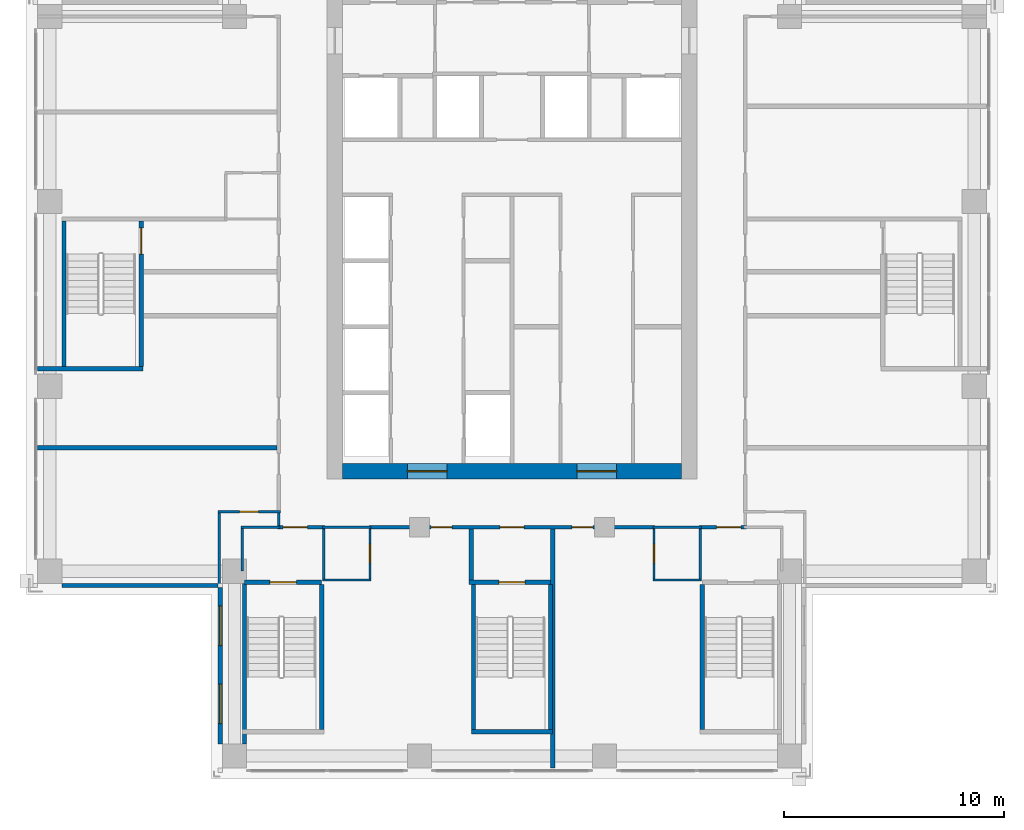
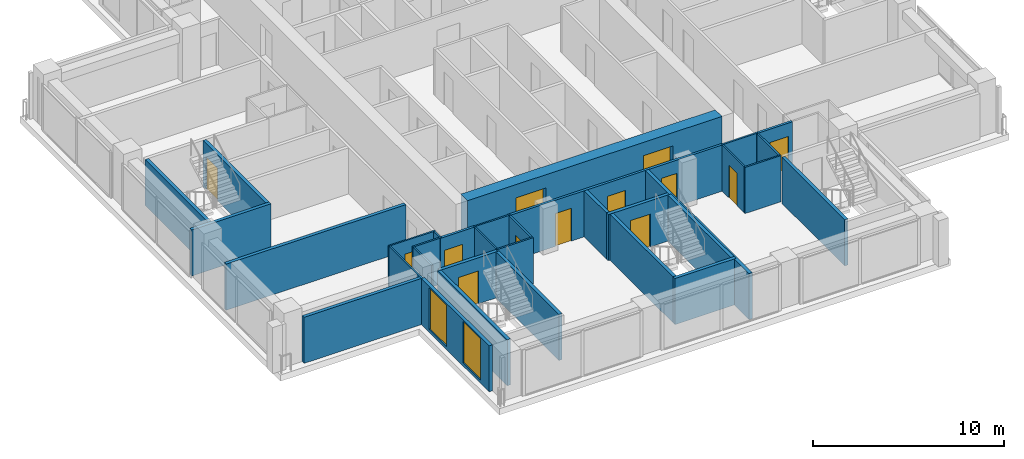
# One storey, part 9 of 16: 33 walls, 13 doors, 2 windows, 15 openings.
"""IFC4 building model written with IfcOpenShell, lengths in metres."""

from ifc_helpers import new_model, si_unit, direction, frame, frame_2d, origin, place, context, subcontext, project, spatial, rectangle, extrude, material, layer, layer_set, type_object, element, fill, save


model = new_model("IFC4")

# Units and contexts
model_context = context("Model", 3, precision=1e-05, world=origin(), true_north=direction((0.0, 1.0)))
body_context = subcontext(model_context, "Body", "Model", "MODEL_VIEW")
ifc_project = project(units=[si_unit("LENGTHUNIT", "METRE"), si_unit("AREAUNIT", "SQUARE_METRE"), si_unit("VOLUMEUNIT", "CUBIC_METRE"), si_unit("PLANEANGLEUNIT", "RADIAN"), si_unit("MASSUNIT", "GRAM", prefix="KILO")], contexts=[model_context])

# Site, building, storey
site_placement = place(None, origin())
site = spatial("IfcSite", under=ifc_project, at=site_placement, CompositionType="ELEMENT")
building_placement = place(site_placement, origin())
building = spatial("IfcBuilding", under=site, at=building_placement, Name="Vermilion Ogive Tower", CompositionType="ELEMENT")
storey_placement = place(building_placement, frame((0.0, 0.0, 167.60009765625)))
storey = spatial("IfcBuildingStorey", under=building, at=storey_placement, Name="L43", CompositionType="ELEMENT", Elevation=167.60009765625)

# Wall, openings, doors
ifc_material_1 = material(Name="Concrete B60", Category="concrete")
ifc_layer_1 = layer(ifc_material_1, 0.699951171875)
ifc_layer_set_1 = layer_set([ifc_layer_1], Name="Core wall 700 B60")
wall_type_1 = type_object("IfcWallType", Name="Core wall 700 B60", PredefinedType="SHEAR", material=ifc_layer_set_1)
wall_1_placement = place(storey_placement, frame((-7.699951171875, -8.050048828125, -0.400146484375), z_axis=(0.0, 0.0, 1.0), x_axis=(1.0, 0.0, 0.0)))
wall_1 = element("IfcWall", 1, at=wall_1_placement, inside=storey, type_object=wall_type_1, Name="L43-CORE-S", PredefinedType="SHEAR", context=body_context, shape_type="SweptSolid", body=[
    extrude(rectangle(XDim=15.39990234375, YDim=0.699951171875, at=frame_2d((7.699951171875, 0.0))), origin(), (0.0, 0.0, 1.0), 3.35009765625),
])
opening_1_placement = place(wall_1_placement, frame((2.949951171875, 0.0, 0.39990234375)))
opening_1 = element("IfcOpeningElement", 2, at=opening_1_placement, cuts=wall_1, Name="Opening DAH033", PredefinedType="OPENING", context=body_context, shape_type="SweptSolid", body=[
    extrude(rectangle(XDim=1.800048828125, YDim=2.10009765625, at=frame_2d((0.89990234375, 1.050048828125))), frame((0.0, 0.35986328125, 0.0), z_axis=(0.0, -1.0, 0.0), x_axis=(1.0, 0.0, 0.0)), (0.0, 0.0, 1.0), 0.719970703125),
])
opening_2_placement = place(wall_1_placement, frame((10.64990234375, 0.0, 0.39990234375)))
opening_2 = element("IfcOpeningElement", 3, at=opening_2_placement, cuts=wall_1, Name="Opening DAH034", PredefinedType="OPENING", context=body_context, shape_type="SweptSolid", body=[
    extrude(rectangle(XDim=1.800048828125, YDim=2.10009765625, at=frame_2d((0.89990234375, 1.050048828125))), frame((0.0, 0.35986328125, 0.0), z_axis=(0.0, -1.0, 0.0), x_axis=(1.0, 0.0, 0.0)), (0.0, 0.0, 1.0), 0.719970703125),
])
ifc_material_2 = material(Name="Timber door leaf", Category="wood")
door_type_1 = type_object("IfcDoorType", Name="Core entry door 1800 x 2100 FD60S", OperationType="DOUBLE_DOOR_SINGLE_SWING", PredefinedType="DOOR", material=ifc_material_2)
door_1_placement = place(opening_1_placement, origin())
door_1 = element("IfcDoor", 4, at=door_1_placement, inside=storey, type_object=door_type_1, Name="L43-CK-XD1", OperationType="SINGLE_SWING_LEFT", OverallHeight=2.10009765625, OverallWidth=1.800048828125, PredefinedType="DOOR", context=body_context, shape_type="SweptSolid", body=[
    extrude(rectangle(XDim=1.800048828125, YDim=2.10009765625, at=frame_2d((0.89990234375, 1.050048828125))), frame((0.0, 0.02490234375, 0.0), z_axis=(0.0, -1.0, 0.0), x_axis=(1.0, 0.0, 0.0)), (0.0, 0.0, 1.0), 0.050048828125),
])
fill(opening_1, door_1)
door_2_placement = place(opening_2_placement, origin())
door_2 = element("IfcDoor", 5, at=door_2_placement, inside=storey, type_object=door_type_1, Name="L43-CK-XD2", OperationType="SINGLE_SWING_LEFT", OverallHeight=2.10009765625, OverallWidth=1.800048828125, PredefinedType="DOOR", context=body_context, shape_type="SweptSolid", body=[
    extrude(rectangle(XDim=1.800048828125, YDim=2.10009765625, at=frame_2d((0.89990234375, 1.050048828125))), frame((0.0, 0.02490234375, 0.0), z_axis=(0.0, -1.0, 0.0), x_axis=(1.0, 0.0, 0.0)), (0.0, 0.0, 1.0), 0.050048828125),
])
fill(opening_2, door_2)

# Walls
ifc_material_3 = material(Name="Gypsum board partition on steel studs", Category="steel")
ifc_layer_2 = layer(ifc_material_3, 0.10009765625)
ifc_layer_set_2 = layer_set([ifc_layer_2], Name="Partition 100 bath")
wall_type_2 = type_object("IfcWallType", Name="Partition 100 bath", PredefinedType="PARTITIONING", material=ifc_layer_set_2)
for number, where, z_axis, x_axis, name in (
    (6, (-8.60009765625, -13.0, 0.0), (0.0, 0.0, 1.0), (1.0, 0.0, 0.0), "L43-W-W005"),
    (7, (6.39990234375, -13.0, 0.0), (0.0, 0.0, 1.0), (1.0, 0.0, 0.0), "L43-W-W006"),
):
    element("IfcWall", number, at=place(storey_placement, frame(where, z_axis=z_axis, x_axis=x_axis)), inside=storey, type_object=wall_type_2, Name=name, PredefinedType="PARTITIONING", context=body_context, shape_type="SweptSolid", body=[
        extrude(rectangle(XDim=2.2001953125, YDim=0.10009765625, at=frame_2d((1.10009765625, 0.0))), origin(), (0.0, 0.0, 1.0), 2.949951171875),
    ])
wall_2_placement = place(storey_placement, frame((-12.300048828125, -10.60009765625, 0.0), z_axis=(0.0, 0.0, 1.0), x_axis=(1.0, 0.0, 0.0)))
element("IfcWall", 8, at=wall_2_placement, inside=storey, type_object=wall_type_2, Name="L43-W-W007", PredefinedType="PARTITIONING", context=body_context, shape_type="SweptSolid", body=[
    extrude(rectangle(XDim=1.75, YDim=0.10009765625, at=frame_2d((0.875, 0.0))), origin(), (0.0, 0.0, 1.0), 2.949951171875),
])
for number, where, z_axis, x_axis, name in (
    (9, (-8.60009765625, -10.60009765625, 0.0), (0.0, 0.0, 1.0), (1.0, 0.0, 0.0), "L43-W-W009"),
    (10, (6.39990234375, -10.60009765625, 0.0), (0.0, 0.0, 1.0), (1.0, 0.0, 0.0), "L43-W-W011"),
):
    element("IfcWall", number, at=place(storey_placement, frame(where, z_axis=z_axis, x_axis=x_axis)), inside=storey, type_object=wall_type_2, Name=name, PredefinedType="PARTITIONING", context=body_context, shape_type="SweptSolid", body=[
        extrude(rectangle(XDim=2.2001953125, YDim=0.10009765625, at=frame_2d((1.10009765625, 0.0))), origin(), (0.0, 0.0, 1.0), 2.949951171875),
    ])

# Wall, opening, door
wall_3_placement = place(storey_placement, frame((-13.35009765625, -9.89990234375, 0.0), z_axis=(0.0, 0.0, 1.0), x_axis=(1.0, 0.0, 0.0)))
wall_3 = element("IfcWall", 11, at=wall_3_placement, inside=storey, type_object=wall_type_2, Name="L43-W-W014", PredefinedType="PARTITIONING", context=body_context, shape_type="SweptSolid", body=[
    extrude(rectangle(XDim=2.8251953125, YDim=0.10009765625, at=frame_2d((1.41259765625, 0.0))), origin(), (0.0, 0.0, 1.0), 2.949951171875),
])
opening_3_placement = place(wall_3_placement, frame((0.97509765625, 0.0, 0.0)))
opening_3 = element("IfcOpeningElement", 12, at=opening_3_placement, cuts=wall_3, Name="Opening D3G5002", PredefinedType="OPENING", context=body_context, shape_type="SweptSolid", body=[
    extrude(rectangle(XDim=0.85009765625, YDim=2.10009765625, at=frame_2d((0.425048828125, 1.050048828125))), frame((0.0, 0.06005859375, 0.0), z_axis=(0.0, -1.0, 0.0), x_axis=(1.0, 0.0, 0.0)), (0.0, 0.0, 1.0), 0.1201171875),
])
ifc_material_4 = material(Name="Timber door leaf", Category="wood")
door_type_2 = type_object("IfcDoorType", Name="Bath door 850 x 2100 FD30", OperationType="SINGLE_SWING_LEFT", PredefinedType="DOOR", material=ifc_material_4)
door_3_placement = place(opening_3_placement, origin())
door_3 = element("IfcDoor", 13, at=door_3_placement, inside=storey, type_object=door_type_2, Name="L43-D-D002", OperationType="SINGLE_SWING_RIGHT", OverallHeight=2.10009765625, OverallWidth=0.85009765625, PredefinedType="DOOR", context=body_context, shape_type="SweptSolid", body=[
    extrude(rectangle(XDim=0.85009765625, YDim=2.10009765625, at=frame_2d((0.425048828125, 1.050048828125))), frame((0.0, 0.02490234375, 0.0), z_axis=(0.0, -1.0, 0.0), x_axis=(1.0, 0.0, 0.0)), (0.0, 0.0, 1.0), 0.050048828125),
])
fill(opening_3, door_3)

# Walls
wall_4_placement = place(storey_placement, frame((-13.300048828125, -13.35009765625, 0.0), z_axis=(0.0, 0.0, 1.0), x_axis=(0.0, 1.0, 0.0)))
element("IfcWall", 14, at=wall_4_placement, inside=storey, type_object=wall_type_2, Name="L43-W-W040", PredefinedType="PARTITIONING", context=body_context, shape_type="SweptSolid", body=[
    extrude(rectangle(XDim=3.400146484375, YDim=0.10009765625, at=frame_2d((1.7001953125, 0.0))), origin(), (0.0, 0.0, 1.0), 2.949951171875),
])
wall_5_placement = place(storey_placement, frame((-12.25, -12.60009765625, 0.0), z_axis=(0.0, 0.0, 1.0), x_axis=(0.0, 1.0, 0.0)))
element("IfcWall", 15, at=wall_5_placement, inside=storey, type_object=wall_type_2, Name="L43-W-W043", PredefinedType="PARTITIONING", context=body_context, shape_type="SweptSolid", body=[
    extrude(rectangle(XDim=1.9501953125, YDim=0.10009765625, at=frame_2d((0.97509765625, 0.0))), origin(), (0.0, 0.0, 1.0), 2.949951171875),
])
wall_6_placement = place(storey_placement, frame((-10.60009765625, -10.52490234375, 0.0), z_axis=(0.0, 0.0, 1.0), x_axis=(0.0, 1.0, 0.0)))
element("IfcWall", 16, at=wall_6_placement, inside=storey, type_object=wall_type_2, Name="L43-W-W044", PredefinedType="PARTITIONING", context=body_context, shape_type="SweptSolid", body=[
    extrude(rectangle(XDim=0.574951171875, YDim=0.10009765625, at=frame_2d((0.28759765625, 0.0))), origin(), (0.0, 0.0, 1.0), 2.949951171875),
])
wall_7_placement = place(storey_placement, frame((-8.550048828125, -12.949951171875, 0.0), z_axis=(0.0, 0.0, 1.0), x_axis=(0.0, 1.0, 0.0)))
element("IfcWall", 17, at=wall_7_placement, inside=storey, type_object=wall_type_2, Name="L43-W-W050", PredefinedType="PARTITIONING", context=body_context, shape_type="SweptSolid", body=[
    extrude(rectangle(XDim=2.27490234375, YDim=0.10009765625, at=frame_2d((1.137451171875, 0.0))), origin(), (0.0, 0.0, 1.0), 2.949951171875),
])

# Wall, opening, door
wall_8_placement = place(storey_placement, frame((-6.449951171875, -12.949951171875, 0.0), z_axis=(0.0, 0.0, 1.0), x_axis=(0.0, 1.0, 0.0)))
wall_8 = element("IfcWall", 18, at=wall_8_placement, inside=storey, type_object=wall_type_2, Name="L43-W-W051", PredefinedType="PARTITIONING", context=body_context, shape_type="SweptSolid", body=[
    extrude(rectangle(XDim=2.27490234375, YDim=0.10009765625, at=frame_2d((1.137451171875, 0.0))), origin(), (0.0, 0.0, 1.0), 2.949951171875),
])
opening_4_placement = place(wall_8_placement, frame((0.724853515625, 0.0, 0.0)))
opening_4 = element("IfcOpeningElement", 19, at=opening_4_placement, cuts=wall_8, Name="Opening D3G5009", PredefinedType="OPENING", context=body_context, shape_type="SweptSolid", body=[
    extrude(rectangle(XDim=0.85009765625, YDim=2.10009765625, at=frame_2d((0.425048828125, 1.050048828125))), frame((0.0, 0.06005859375, 0.0), z_axis=(0.0, -1.0, 0.0), x_axis=(1.0, 0.0, 0.0)), (0.0, 0.0, 1.0), 0.1201171875),
])
door_4_placement = place(opening_4_placement, origin())
door_4 = element("IfcDoor", 20, at=door_4_placement, inside=storey, type_object=door_type_2, Name="L43-D-D009", OperationType="SINGLE_SWING_LEFT", OverallHeight=2.10009765625, OverallWidth=0.85009765625, PredefinedType="DOOR", context=body_context, shape_type="SweptSolid", body=[
    extrude(rectangle(XDim=0.85009765625, YDim=2.10009765625, at=frame_2d((0.425048828125, 1.050048828125))), frame((0.0, 0.02490234375, 0.0), z_axis=(0.0, -1.0, 0.0), x_axis=(1.0, 0.0, 0.0)), (0.0, 0.0, 1.0), 0.050048828125),
])
fill(opening_4, door_4)

wall_9_placement = place(storey_placement, frame((6.449951171875, -12.949951171875, 0.0), z_axis=(0.0, 0.0, 1.0), x_axis=(0.0, 1.0, 0.0)))
wall_9 = element("IfcWall", 21, at=wall_9_placement, inside=storey, type_object=wall_type_2, Name="L43-W-W056", PredefinedType="PARTITIONING", context=body_context, shape_type="SweptSolid", body=[
    extrude(rectangle(XDim=2.27490234375, YDim=0.10009765625, at=frame_2d((1.137451171875, 0.0))), origin(), (0.0, 0.0, 1.0), 2.949951171875),
])
opening_5_placement = place(wall_9_placement, frame((0.724853515625, 0.0, 0.0)))
opening_5 = element("IfcOpeningElement", 22, at=opening_5_placement, cuts=wall_9, Name="Opening D3G5011", PredefinedType="OPENING", context=body_context, shape_type="SweptSolid", body=[
    extrude(rectangle(XDim=0.85009765625, YDim=2.10009765625, at=frame_2d((0.425048828125, 1.050048828125))), frame((0.0, 0.06005859375, 0.0), z_axis=(0.0, -1.0, 0.0), x_axis=(1.0, 0.0, 0.0)), (0.0, 0.0, 1.0), 0.1201171875),
])
door_5_placement = place(opening_5_placement, origin())
door_5 = element("IfcDoor", 23, at=door_5_placement, inside=storey, type_object=door_type_2, Name="L43-D-D011", OperationType="SINGLE_SWING_RIGHT", OverallHeight=2.10009765625, OverallWidth=0.85009765625, PredefinedType="DOOR", context=body_context, shape_type="SweptSolid", body=[
    extrude(rectangle(XDim=0.85009765625, YDim=2.10009765625, at=frame_2d((0.425048828125, 1.050048828125))), frame((0.0, 0.02490234375, 0.0), z_axis=(0.0, -1.0, 0.0), x_axis=(1.0, 0.0, 0.0)), (0.0, 0.0, 1.0), 0.050048828125),
])
fill(opening_5, door_5)

# Wall
wall_10_placement = place(storey_placement, frame((8.550048828125, -12.949951171875, 0.0), z_axis=(0.0, 0.0, 1.0), x_axis=(0.0, 1.0, 0.0)))
element("IfcWall", 24, at=wall_10_placement, inside=storey, type_object=wall_type_2, Name="L43-W-W057", PredefinedType="PARTITIONING", context=body_context, shape_type="SweptSolid", body=[
    extrude(rectangle(XDim=2.27490234375, YDim=0.10009765625, at=frame_2d((1.137451171875, 0.0))), origin(), (0.0, 0.0, 1.0), 2.949951171875),
])

# Wall, opening, door
ifc_material_5 = material(Name="Gypsum board partition on steel studs", Category="steel")
ifc_layer_3 = layer(ifc_material_5, 0.14990234375)
ifc_layer_set_3 = layer_set([ifc_layer_3], Name="Partition 150 corridor")
wall_type_3 = type_object("IfcWallType", Name="Partition 150 corridor", PredefinedType="PARTITIONING", material=ifc_layer_set_3)
wall_11_placement = place(storey_placement, frame((-10.64990234375, -10.60009765625, 0.0), z_axis=(0.0, 0.0, 1.0), x_axis=(1.0, 0.0, 0.0)))
wall_11 = element("IfcWall", 25, at=wall_11_placement, inside=storey, type_object=wall_type_3, Name="L43-W-W008", PredefinedType="PARTITIONING", context=body_context, shape_type="SweptSolid", body=[
    extrude(rectangle(XDim=2.14990234375, YDim=0.14990234375, at=frame_2d((1.074951171875, 0.0))), origin(), (0.0, 0.0, 1.0), 2.949951171875),
])
opening_6_placement = place(wall_11_placement, frame((0.25, 0.0, 0.0)))
opening_6 = element("IfcOpeningElement", 26, at=opening_6_placement, cuts=wall_11, Name="Opening D3G5018", PredefinedType="OPENING", context=body_context, shape_type="SweptSolid", body=[
    extrude(rectangle(XDim=1.10009765625, YDim=2.10009765625, at=frame_2d((0.550048828125, 1.050048828125))), frame((0.0, 0.0849609375, 0.0), z_axis=(0.0, -1.0, 0.0), x_axis=(1.0, 0.0, 0.0)), (0.0, 0.0, 1.0), 0.169921875),
])
ifc_material_6 = material(Name="Timber door leaf", Category="wood")
door_type_3 = type_object("IfcDoorType", Name="Stair door 1100 x 2100 FD60S", OperationType="SINGLE_SWING_LEFT", PredefinedType="DOOR", material=ifc_material_6)
door_6_placement = place(opening_6_placement, origin())
door_6 = element("IfcDoor", 27, at=door_6_placement, inside=storey, type_object=door_type_3, Name="L43-D-D018", OperationType="SINGLE_SWING_RIGHT", OverallHeight=2.10009765625, OverallWidth=1.10009765625, PredefinedType="DOOR", context=body_context, shape_type="SweptSolid", body=[
    extrude(rectangle(XDim=1.10009765625, YDim=2.10009765625, at=frame_2d((0.550048828125, 1.050048828125))), frame((0.0, 0.02490234375, 0.0), z_axis=(0.0, -1.0, 0.0), x_axis=(1.0, 0.0, 0.0)), (0.0, 0.0, 1.0), 0.050048828125),
])
fill(opening_6, door_6)

# Wall, openings, doors
wall_12_placement = place(storey_placement, frame((-6.5, -10.60009765625, 0.0), z_axis=(0.0, 0.0, 1.0), x_axis=(1.0, 0.0, 0.0)))
wall_12 = element("IfcWall", 28, at=wall_12_placement, inside=storey, type_object=wall_type_3, Name="L43-W-W010", PredefinedType="PARTITIONING", context=body_context, shape_type="SweptSolid", body=[
    extrude(rectangle(XDim=13.0, YDim=0.14990234375, at=frame_2d((6.5, 0.0))), origin(), (0.0, 0.0, 1.0), 2.949951171875),
])
opening_7_placement = place(wall_12_placement, frame((2.824951171875, 0.0, 0.0)))
opening_7 = element("IfcOpeningElement", 29, at=opening_7_placement, cuts=wall_12, Name="Opening D3G5008", PredefinedType="OPENING", context=body_context, shape_type="SweptSolid", body=[
    extrude(rectangle(XDim=0.949951171875, YDim=2.10009765625, at=frame_2d((0.47509765625, 1.050048828125))), frame((0.0, 0.0849609375, 0.0), z_axis=(0.0, -1.0, 0.0), x_axis=(1.0, 0.0, 0.0)), (0.0, 0.0, 1.0), 0.169921875),
])
opening_8_placement = place(wall_12_placement, frame((9.22509765625, 0.0, 0.0)))
opening_8 = element("IfcOpeningElement", 30, at=opening_8_placement, cuts=wall_12, Name="Opening D3G5010", PredefinedType="OPENING", context=body_context, shape_type="SweptSolid", body=[
    extrude(rectangle(XDim=0.949951171875, YDim=2.10009765625, at=frame_2d((0.47509765625, 1.050048828125))), frame((0.0, 0.0849609375, 0.0), z_axis=(0.0, -1.0, 0.0), x_axis=(1.0, 0.0, 0.0)), (0.0, 0.0, 1.0), 0.169921875),
])
opening_9_placement = place(wall_12_placement, frame((5.949951171875, 0.0, 0.0)))
opening_9 = element("IfcOpeningElement", 31, at=opening_9_placement, cuts=wall_12, Name="Opening D3G5020", PredefinedType="OPENING", context=body_context, shape_type="SweptSolid", body=[
    extrude(rectangle(XDim=1.10009765625, YDim=2.10009765625, at=frame_2d((0.550048828125, 1.050048828125))), frame((0.0, 0.0849609375, 0.0), z_axis=(0.0, -1.0, 0.0), x_axis=(1.0, 0.0, 0.0)), (0.0, 0.0, 1.0), 0.169921875),
])
door_7_placement = place(opening_9_placement, origin())
door_7 = element("IfcDoor", 32, at=door_7_placement, inside=storey, type_object=door_type_3, Name="L43-D-D020", OperationType="SINGLE_SWING_LEFT", OverallHeight=2.10009765625, OverallWidth=1.10009765625, PredefinedType="DOOR", context=body_context, shape_type="SweptSolid", body=[
    extrude(rectangle(XDim=1.10009765625, YDim=2.10009765625, at=frame_2d((0.550048828125, 1.050048828125))), frame((0.0, 0.02490234375, 0.0), z_axis=(0.0, -1.0, 0.0), x_axis=(1.0, 0.0, 0.0)), (0.0, 0.0, 1.0), 0.050048828125),
])
fill(opening_9, door_7)
ifc_material_7 = material(Name="Timber door leaf", Category="wood")
door_type_4 = type_object("IfcDoorType", Name="Unit door 950 x 2100 FD30S", OperationType="SINGLE_SWING_LEFT", PredefinedType="DOOR", material=ifc_material_7)
door_8_placement = place(opening_7_placement, origin())
door_8 = element("IfcDoor", 33, at=door_8_placement, inside=storey, type_object=door_type_4, Name="L43-D-D008", OperationType="SINGLE_SWING_LEFT", OverallHeight=2.10009765625, OverallWidth=0.949951171875, PredefinedType="DOOR", context=body_context, shape_type="SweptSolid", body=[
    extrude(rectangle(XDim=0.949951171875, YDim=2.10009765625, at=frame_2d((0.47509765625, 1.050048828125))), frame((0.0, 0.02490234375, 0.0), z_axis=(0.0, -1.0, 0.0), x_axis=(1.0, 0.0, 0.0)), (0.0, 0.0, 1.0), 0.050048828125),
])
fill(opening_7, door_8)
door_9_placement = place(opening_8_placement, origin())
door_9 = element("IfcDoor", 34, at=door_9_placement, inside=storey, type_object=door_type_4, Name="L43-D-D010", OperationType="SINGLE_SWING_LEFT", OverallHeight=2.10009765625, OverallWidth=0.949951171875, PredefinedType="DOOR", context=body_context, shape_type="SweptSolid", body=[
    extrude(rectangle(XDim=0.949951171875, YDim=2.10009765625, at=frame_2d((0.47509765625, 1.050048828125))), frame((0.0, 0.02490234375, 0.0), z_axis=(0.0, -1.0, 0.0), x_axis=(1.0, 0.0, 0.0)), (0.0, 0.0, 1.0), 0.050048828125),
])
fill(opening_8, door_9)

# Wall, opening, door
wall_13_placement = place(storey_placement, frame((8.5, -10.60009765625, 0.0), z_axis=(0.0, 0.0, 1.0), x_axis=(1.0, 0.0, 0.0)))
wall_13 = element("IfcWall", 35, at=wall_13_placement, inside=storey, type_object=wall_type_3, Name="L43-W-W012", PredefinedType="PARTITIONING", context=body_context, shape_type="SweptSolid", body=[
    extrude(rectangle(XDim=2.14990234375, YDim=0.14990234375, at=frame_2d((1.074951171875, 0.0))), origin(), (0.0, 0.0, 1.0), 2.949951171875),
])
opening_10_placement = place(wall_13_placement, frame((0.800048828125, 0.0, 0.0)))
opening_10 = element("IfcOpeningElement", 36, at=opening_10_placement, cuts=wall_13, Name="Opening D3G5022", PredefinedType="OPENING", context=body_context, shape_type="SweptSolid", body=[
    extrude(rectangle(XDim=1.10009765625, YDim=2.10009765625, at=frame_2d((0.550048828125, 1.050048828125))), frame((0.0, 0.0849609375, 0.0), z_axis=(0.0, -1.0, 0.0), x_axis=(1.0, 0.0, 0.0)), (0.0, 0.0, 1.0), 0.169921875),
])
door_10_placement = place(opening_10_placement, origin())
door_10 = element("IfcDoor", 37, at=door_10_placement, inside=storey, type_object=door_type_3, Name="L43-D-D022", OperationType="SINGLE_SWING_RIGHT", OverallHeight=2.10009765625, OverallWidth=1.10009765625, PredefinedType="DOOR", context=body_context, shape_type="SweptSolid", body=[
    extrude(rectangle(XDim=1.10009765625, YDim=2.10009765625, at=frame_2d((0.550048828125, 1.050048828125))), frame((0.0, 0.02490234375, 0.0), z_axis=(0.0, -1.0, 0.0), x_axis=(1.0, 0.0, 0.0)), (0.0, 0.0, 1.0), 0.050048828125),
])
fill(opening_10, door_10)

# Walls
ifc_material_8 = material(Name="Gypsum board partition on steel studs", Category="steel")
ifc_layer_4 = layer(ifc_material_8, 0.199951171875)
ifc_layer_set_4 = layer_set([ifc_layer_4], Name="Partition 200 party")
wall_type_4 = type_object("IfcWallType", Name="Partition 200 party", PredefinedType="PARTITIONING", material=ifc_layer_set_4)
wall_14_placement = place(storey_placement, frame((-21.550048828125, -7.0, 0.0), z_axis=(0.0, 0.0, 1.0), x_axis=(1.0, 0.0, 0.0)))
element("IfcWall", 38, at=wall_14_placement, inside=storey, type_object=wall_type_4, Name="L43-W-W016", PredefinedType="PARTITIONING", context=body_context, shape_type="SweptSolid", body=[
    extrude(rectangle(XDim=10.875, YDim=0.199951171875, at=frame_2d((5.4375, 0.0))), origin(), (0.0, 0.0, 1.0), 2.949951171875),
])
wall_15_placement = place(storey_placement, frame((-1.85009765625, -12.998046875, 0.0), z_axis=(0.0, 0.0, 1.0), x_axis=(0.0, 1.0, 0.0)))
element("IfcWall", 39, at=wall_15_placement, inside=storey, type_object=wall_type_4, Name="L43-W-W052", PredefinedType="PARTITIONING", context=body_context, shape_type="SweptSolid", body=[
    extrude(rectangle(XDim=2.322998046875, YDim=0.199951171875, at=frame_2d((1.16162109375, 0.0))), origin(), (0.0, 0.0, 1.0), 2.949951171875),
])
ifc_material_9 = material(Name="Concrete B60", Category="concrete")
ifc_layer_5 = layer(ifc_material_9, 0.199951171875)
ifc_layer_set_5 = layer_set([ifc_layer_5], Name="Stair shaft wall 200 Concrete B60")
wall_type_5 = type_object("IfcWallType", Name="Stair shaft wall 200 Concrete B60", PredefinedType="SOLIDWALL", material=ifc_layer_set_5)
wall_16_placement = place(storey_placement, frame((-1.847900390625, -19.89990234375, 0.0), z_axis=(0.0, 0.0, 1.0), x_axis=(1.0, 0.0, 0.0)))
element("IfcWall", 40, at=wall_16_placement, inside=storey, type_object=wall_type_5, Name="L43-W-W001", PredefinedType="SOLIDWALL", context=body_context, shape_type="SweptSolid", body=[
    extrude(rectangle(XDim=3.69580078125, YDim=0.199951171875, at=frame_2d((1.847900390625, 0.0))), origin(), (0.0, 0.0, 1.0), 2.949951171875),
])

# Wall, opening, door
wall_17_placement = place(storey_placement, frame((-12.14990234375, -13.10009765625, 0.0), z_axis=(0.0, 0.0, 1.0), x_axis=(1.0, 0.0, 0.0)))
wall_17 = element("IfcWall", 41, at=wall_17_placement, inside=storey, type_object=wall_type_5, Name="L43-W-W002", PredefinedType="SOLIDWALL", context=body_context, shape_type="SweptSolid", body=[
    extrude(rectangle(XDim=3.5, YDim=0.199951171875, at=frame_2d((1.75, 0.0))), origin(), (0.0, 0.0, 1.0), 2.949951171875),
])
opening_11_placement = place(wall_17_placement, frame((1.14990234375, 0.0, 0.0)))
opening_11 = element("IfcOpeningElement", 42, at=opening_11_placement, cuts=wall_17, Name="Opening D3G5019", PredefinedType="OPENING", context=body_context, shape_type="SweptSolid", body=[
    extrude(rectangle(XDim=1.199951171875, YDim=2.10009765625, at=frame_2d((0.60009765625, 1.050048828125))), frame((0.0, 0.10986328125, 0.0), z_axis=(0.0, -1.0, 0.0), x_axis=(1.0, 0.0, 0.0)), (0.0, 0.0, 1.0), 0.219970703125),
])
ifc_material_10 = material(Name="Timber door leaf", Category="wood")
door_type_5 = type_object("IfcDoorType", Name="Stair door 1200 x 2100 FD60S", OperationType="SINGLE_SWING_LEFT", PredefinedType="DOOR", material=ifc_material_10)
door_11_placement = place(opening_11_placement, origin())
door_11 = element("IfcDoor", 43, at=door_11_placement, inside=storey, type_object=door_type_5, Name="L43-D-D019", OperationType="SINGLE_SWING_RIGHT", OverallHeight=2.10009765625, OverallWidth=1.199951171875, PredefinedType="DOOR", context=body_context, shape_type="SweptSolid", body=[
    extrude(rectangle(XDim=1.199951171875, YDim=2.10009765625, at=frame_2d((0.60009765625, 1.050048828125))), frame((0.0, 0.02490234375, 0.0), z_axis=(0.0, -1.0, 0.0), x_axis=(1.0, 0.0, 0.0)), (0.0, 0.0, 1.0), 0.050048828125),
])
fill(opening_11, door_11)

wall_18_placement = place(storey_placement, frame((-1.947998046875, -13.10009765625, 0.0), z_axis=(0.0, 0.0, 1.0), x_axis=(1.0, 0.0, 0.0)))
wall_18 = element("IfcWall", 44, at=wall_18_placement, inside=storey, type_object=wall_type_5, Name="L43-W-W003", PredefinedType="SOLIDWALL", context=body_context, shape_type="SweptSolid", body=[
    extrude(rectangle(XDim=3.696044921875, YDim=0.199951171875, at=frame_2d((1.84814453125, 0.0))), origin(), (0.0, 0.0, 1.0), 2.949951171875),
])
opening_12_placement = place(wall_18_placement, frame((1.347900390625, 0.0, 0.0)))
opening_12 = element("IfcOpeningElement", 45, at=opening_12_placement, cuts=wall_18, Name="Opening D3G5021", PredefinedType="OPENING", context=body_context, shape_type="SweptSolid", body=[
    extrude(rectangle(XDim=1.199951171875, YDim=2.10009765625, at=frame_2d((0.60009765625, 1.050048828125))), frame((0.0, 0.10986328125, 0.0), z_axis=(0.0, -1.0, 0.0), x_axis=(1.0, 0.0, 0.0)), (0.0, 0.0, 1.0), 0.219970703125),
])
door_12_placement = place(opening_12_placement, origin())
door_12 = element("IfcDoor", 46, at=door_12_placement, inside=storey, type_object=door_type_5, Name="L43-D-D021", OperationType="SINGLE_SWING_RIGHT", OverallHeight=2.10009765625, OverallWidth=1.199951171875, PredefinedType="DOOR", context=body_context, shape_type="SweptSolid", body=[
    extrude(rectangle(XDim=1.199951171875, YDim=2.10009765625, at=frame_2d((0.60009765625, 1.050048828125))), frame((0.0, 0.02490234375, 0.0), z_axis=(0.0, -1.0, 0.0), x_axis=(1.0, 0.0, 0.0)), (0.0, 0.0, 1.0), 0.050048828125),
])
fill(opening_12, door_12)

wall_19_placement = place(storey_placement, frame((-16.85009765625, -3.298095703125, 0.0), z_axis=(0.0, 0.0, 1.0), x_axis=(0.0, 1.0, 0.0)))
wall_19 = element("IfcWall", 47, at=wall_19_placement, inside=storey, type_object=wall_type_5, Name="L43-W-W039", PredefinedType="SOLIDWALL", context=body_context, shape_type="SweptSolid", body=[
    extrude(rectangle(XDim=6.59814453125, YDim=0.199951171875, at=frame_2d((3.299072265625, 0.0))), origin(), (0.0, 0.0, 1.0), 2.949951171875),
])
opening_13_placement = place(wall_19_placement, frame((5.10009765625, 0.0, 0.0)))
opening_13 = element("IfcOpeningElement", 48, at=opening_13_placement, cuts=wall_19, Name="Opening D3G5027", PredefinedType="OPENING", context=body_context, shape_type="SweptSolid", body=[
    extrude(rectangle(XDim=1.199951171875, YDim=2.10009765625, at=frame_2d((0.60009765625, 1.050048828125))), frame((0.0, 0.10986328125, 0.0), z_axis=(0.0, -1.0, 0.0), x_axis=(1.0, 0.0, 0.0)), (0.0, 0.0, 1.0), 0.219970703125),
])
door_13_placement = place(opening_13_placement, origin())
door_13 = element("IfcDoor", 49, at=door_13_placement, inside=storey, type_object=door_type_5, Name="L43-D-D027", OperationType="SINGLE_SWING_RIGHT", OverallHeight=2.10009765625, OverallWidth=1.199951171875, PredefinedType="DOOR", context=body_context, shape_type="SweptSolid", body=[
    extrude(rectangle(XDim=1.199951171875, YDim=2.10009765625, at=frame_2d((0.60009765625, 1.050048828125))), frame((0.0, 0.02490234375, 0.0), z_axis=(0.0, -1.0, 0.0), x_axis=(1.0, 0.0, 0.0)), (0.0, 0.0, 1.0), 0.050048828125),
])
fill(opening_13, door_13)

# Walls
for number, where, z_axis, x_axis, name in (
    (50, (-1.75, -19.798095703125, 0.0), (0.0, 0.0, 1.0), (0.0, 1.0, 0.0), "L43-W-W053"),
    (51, (1.75, -19.798095703125, 0.0), (0.0, 0.0, 1.0), (0.0, 1.0, 0.0), "L43-W-W054"),
):
    element("IfcWall", number, at=place(storey_placement, frame(where, z_axis=z_axis, x_axis=x_axis)), inside=storey, type_object=wall_type_5, Name=name, PredefinedType="SOLIDWALL", context=body_context, shape_type="SweptSolid", body=[
        extrude(rectangle(XDim=6.59619140625, YDim=0.199951171875, at=frame_2d((3.298095703125, 0.0))), origin(), (0.0, 0.0, 1.0), 2.949951171875),
    ])
wall_20_placement = place(storey_placement, frame((-12.14990234375, -20.449951171875, 0.0), z_axis=(0.0, 0.0, 1.0), x_axis=(0.0, 1.0, 0.0)))
element("IfcWall", 52, at=wall_20_placement, inside=storey, type_object=wall_type_5, Name="L43-SW-ST3-W1", PredefinedType="SOLIDWALL", context=body_context, shape_type="SweptSolid", body=[
    extrude(rectangle(XDim=7.300048828125, YDim=0.199951171875, at=frame_2d((3.64990234375, 0.0))), origin(), (0.0, 0.0, 1.0), 2.949951171875),
])
for number, where, z_axis, x_axis, name in (
    (53, (-8.64990234375, -19.800048828125, 0.0), (0.0, 0.0, 1.0), (0.0, 1.0, 0.0), "L43-SW-ST3-E1"),
    (54, (8.64990234375, -19.800048828125, 0.0), (0.0, 0.0, 1.0), (0.0, 1.0, 0.0), "L43-SW-ST5-W1"),
):
    element("IfcWall", number, at=place(storey_placement, frame(where, z_axis=z_axis, x_axis=x_axis)), inside=storey, type_object=wall_type_5, Name=name, PredefinedType="SOLIDWALL", context=body_context, shape_type="SweptSolid", body=[
        extrude(rectangle(XDim=6.60009765625, YDim=0.199951171875, at=frame_2d((3.300048828125, 0.0))), origin(), (0.0, 0.0, 1.0), 2.949951171875),
    ])
wall_21_placement = place(storey_placement, frame((1.85009765625, -21.550048828125, 0.0), z_axis=(0.0, 0.0, 1.0), x_axis=(0.0, 1.0, 0.0)))
element("IfcWall", 55, at=wall_21_placement, inside=storey, type_object=wall_type_5, Name="L43-W-W055-A", PredefinedType="SOLIDWALL", context=body_context, shape_type="SweptSolid", body=[
    extrude(rectangle(XDim=10.875, YDim=0.199951171875, at=frame_2d((5.4375, 0.0))), origin(), (0.0, 0.0, 1.0), 2.949951171875),
])
wall_22_placement = place(storey_placement, frame((-21.550048828125, -3.39990234375, 0.0), z_axis=(0.0, 0.0, 1.0), x_axis=(1.0, 0.0, 0.0)))
element("IfcWall", 56, at=wall_22_placement, inside=storey, type_object=wall_type_5, Name="L43-W-W018-A", PredefinedType="SOLIDWALL", context=body_context, shape_type="SweptSolid", body=[
    extrude(rectangle(XDim=4.798095703125, YDim=0.199951171875, at=frame_2d((2.39892578125, 0.0))), origin(), (0.0, 0.0, 1.0), 2.949951171875),
])
wall_23_placement = place(storey_placement, frame((-20.35009765625, -3.298095703125, 0.0), z_axis=(0.0, 0.0, 1.0), x_axis=(0.0, 1.0, 0.0)))
element("IfcWall", 57, at=wall_23_placement, inside=storey, type_object=wall_type_5, Name="L43-W-W038-A", PredefinedType="SOLIDWALL", context=body_context, shape_type="SweptSolid", body=[
    extrude(rectangle(XDim=6.59619140625, YDim=0.199951171875, at=frame_2d((3.298095703125, 0.0))), origin(), (0.0, 0.0, 1.0), 2.949951171875),
])
ifc_material_11 = material(Name="Aluminium window wall framing", Category="aluminium")
ifc_layer_6 = layer(ifc_material_11, 0.199951171875)
ifc_layer_set_6 = layer_set([ifc_layer_6], Name="Window wall")
wall_type_6 = type_object("IfcWallType", Name="Window wall", PredefinedType="STANDARD", material=ifc_layer_set_6)
wall_24_placement = place(storey_placement, frame((-20.449951171875, -13.25, 0.0), z_axis=(0.0, 0.0, 1.0), x_axis=(1.0, 0.0, 0.0)))
element("IfcWall", 58, at=wall_24_placement, inside=storey, type_object=wall_type_6, Name="Window wall X71", PredefinedType="STANDARD", context=body_context, shape_type="SweptSolid", body=[
    extrude(rectangle(XDim=7.099853515625, YDim=0.199951171875, at=frame_2d((3.5498046875, 0.0))), origin(), (0.0, 0.0, 1.0), 2.949951171875),
])

# Wall, openings, windows
wall_25_placement = place(storey_placement, frame((-13.25, -13.35009765625, 0.0), z_axis=(0.0, 0.0, 1.0), x_axis=(0.0, -1.0, 0.0)))
wall_25 = element("IfcWall", 59, at=wall_25_placement, inside=storey, type_object=wall_type_6, Name="Window wall X81", PredefinedType="STANDARD", context=body_context, shape_type="SweptSolid", body=[
    extrude(rectangle(XDim=7.099853515625, YDim=0.199951171875, at=frame_2d((3.5498046875, 0.0))), origin(), (0.0, 0.0, 1.0), 2.949951171875),
])
opening_14_placement = place(wall_25_placement, frame((4.375, 0.0, 0.199951171875)))
opening_14 = element("IfcOpeningElement", 60, at=opening_14_placement, cuts=wall_25, Name="Opening W1-X895", PredefinedType="OPENING", context=body_context, shape_type="SweptSolid", body=[
    extrude(rectangle(XDim=1.800048828125, YDim=2.64990234375, at=frame_2d((0.89990234375, 1.324951171875))), frame((0.0, 0.10986328125, 0.0), z_axis=(0.0, -1.0, 0.0), x_axis=(1.0, 0.0, 0.0)), (0.0, 0.0, 1.0), 0.219970703125),
])
opening_15_placement = place(wall_25_placement, frame((0.824951171875, 0.0, 0.199951171875)))
opening_15 = element("IfcOpeningElement", 61, at=opening_15_placement, cuts=wall_25, Name="Opening W1-X896", PredefinedType="OPENING", context=body_context, shape_type="SweptSolid", body=[
    extrude(rectangle(XDim=1.800048828125, YDim=2.64990234375, at=frame_2d((0.89990234375, 1.324951171875))), frame((0.0, 0.10986328125, 0.0), z_axis=(0.0, -1.0, 0.0), x_axis=(1.0, 0.0, 0.0)), (0.0, 0.0, 1.0), 0.219970703125),
])
ifc_material_12 = material(Name="Aluminium framed double glazing", Category="aluminium")
window_type = type_object("IfcWindowType", Name="Guest window W1", PartitioningType="SINGLE_PANEL", PredefinedType="WINDOW", material=ifc_material_12)
window_1_placement = place(opening_14_placement, origin())
window_1 = element("IfcWindow", 62, at=window_1_placement, inside=storey, type_object=window_type, Name="Window X895", OverallHeight=2.64990234375, OverallWidth=1.800048828125, PartitioningType="SINGLE_PANEL", PredefinedType="WINDOW", context=body_context, shape_type="SweptSolid", body=[
    extrude(rectangle(XDim=1.800048828125, YDim=2.64990234375, at=frame_2d((0.89990234375, 1.324951171875))), frame((0.0, 0.030029296875, 0.0), z_axis=(0.0, -1.0, 0.0), x_axis=(1.0, 0.0, 0.0)), (0.0, 0.0, 1.0), 0.06005859375),
])
fill(opening_14, window_1)
window_2_placement = place(opening_15_placement, origin())
window_2 = element("IfcWindow", 63, at=window_2_placement, inside=storey, type_object=window_type, Name="Window X896", OverallHeight=2.64990234375, OverallWidth=1.800048828125, PartitioningType="SINGLE_PANEL", PredefinedType="WINDOW", context=body_context, shape_type="SweptSolid", body=[
    extrude(rectangle(XDim=1.800048828125, YDim=2.64990234375, at=frame_2d((0.89990234375, 1.324951171875))), frame((0.0, 0.030029296875, 0.0), z_axis=(0.0, -1.0, 0.0), x_axis=(1.0, 0.0, 0.0)), (0.0, 0.0, 1.0), 0.06005859375),
])
fill(opening_15, window_2)

save(model, "model.ifc")
